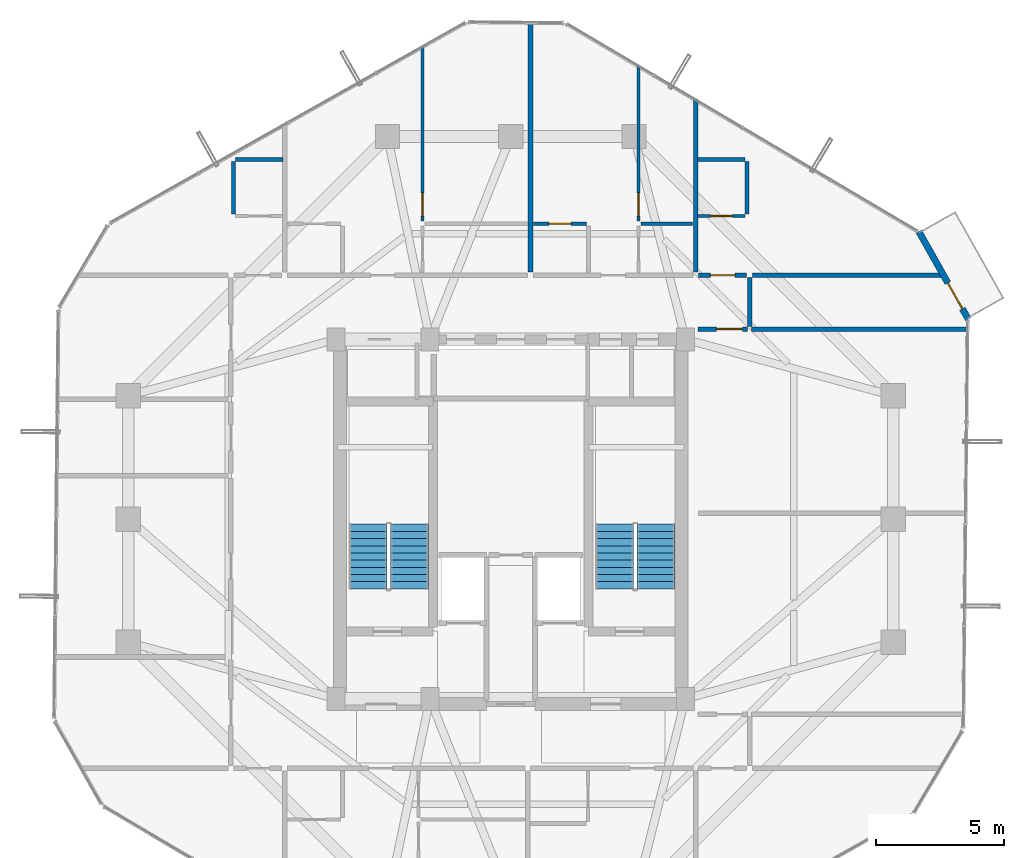
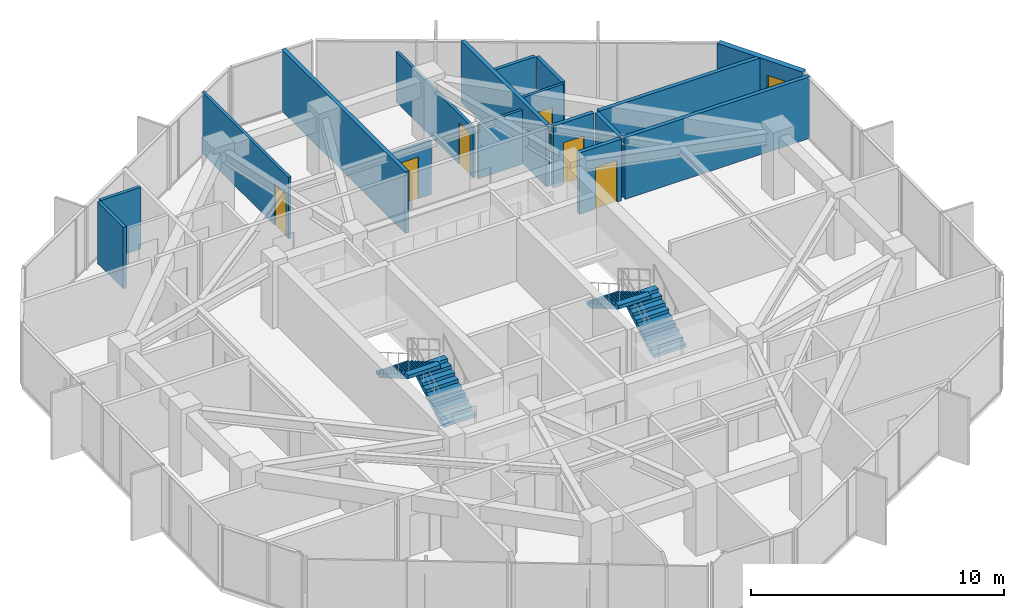
# One storey, part 28 of 30: 17 walls, 7 doors, 4 stair flights, 7 openings, 2 elements without a shape of their own.
"""IFC4 building model written with IfcOpenShell, lengths in metres."""

from ifc_helpers import new_model, si_unit, direction, frame, frame_2d, origin, place, context, subcontext, project, spatial, polyline, rectangle, outline, extrude, source, transform, mapped, material, layer, layer_set, type_object, element, fill, aggregate, save


model = new_model("IFC4")

# Units and contexts
model_context = context("Model", 3, precision=1e-05, world=origin(), true_north=direction((0.0, 1.0)))
body_context = subcontext(model_context, "Body", "Model", "MODEL_VIEW")
ifc_project = project(units=[si_unit("LENGTHUNIT", "METRE"), si_unit("AREAUNIT", "SQUARE_METRE"), si_unit("VOLUMEUNIT", "CUBIC_METRE"), si_unit("PLANEANGLEUNIT", "RADIAN"), si_unit("MASSUNIT", "GRAM", prefix="KILO")], contexts=[model_context])

# Site, building, storey
site_placement = place(None, origin())
site = spatial("IfcSite", under=ifc_project, at=site_placement, CompositionType="ELEMENT")
building_placement = place(site_placement, origin())
building = spatial("IfcBuilding", under=site, at=building_placement, Name="Veraguas Prism Commons", CompositionType="ELEMENT")
storey_placement = place(building_placement, frame((0.0, 0.0, 208.10009765625)))
storey = spatial("IfcBuildingStorey", under=building, at=storey_placement, Name="L59", CompositionType="ELEMENT", Elevation=208.10009765625)

# Walls
ifc_material_1 = material(Name="Autoclaved aerated masonry block 10 MPa", Category="masonry")
ifc_layer_1 = layer(ifc_material_1, 0.179931640625, Name="Corridor and Inter-Tenancy Partition 180", Category="masonry")
ifc_layer_set_1 = layer_set([ifc_layer_1], Name="Autoclaved aerated masonry block 10 MPa")
wall_type_1 = type_object("IfcWallType", Name="Corridor and Inter-Tenancy Partition 180", PredefinedType="PARTITIONING", material=ifc_layer_set_1)
wall_1_placement = place(storey_placement, frame((31.199951171875, 33.6201171875, 0.0), z_axis=(0.0, 0.0, 1.0), x_axis=(0.0, 1.0, 0.0)))
element("IfcWall", 1, at=wall_1_placement, inside=storey, type_object=wall_type_1, Name="WL-L59-PT014", PredefinedType="PARTITIONING", context=body_context, shape_type="SweptSolid", body=[
    extrude(rectangle(XDim=6.732177734375, YDim=0.179931640625, at=frame_2d((3.3662109375, 0.0))), origin(), (0.0, 0.0, 1.0), 2.969970703125),
])
wall_2_placement = place(storey_placement, frame((24.77001953125, 33.6201171875, 0.0), z_axis=(0.0, 0.0, 1.0), x_axis=(0.0, 1.0, 0.0)))
element("IfcWall", 2, at=wall_2_placement, inside=storey, type_object=wall_type_1, Name="WL-L59-PT021", PredefinedType="PARTITIONING", context=body_context, shape_type="SweptSolid", body=[
    extrude(rectangle(XDim=9.74609375, YDim=0.179931640625, at=frame_2d((4.873046875, 0.0))), origin(), (0.0, 0.0, 1.0), 2.969970703125),
])
wall_3_placement = place(storey_placement, frame((33.300048828125, 31.5, 0.0), z_axis=(0.0, 0.0, 1.0), x_axis=(0.0, 1.0, 0.0)))
element("IfcWall", 3, at=wall_3_placement, inside=storey, type_object=wall_type_1, Name="WL-L59-PT039", PredefinedType="PARTITIONING", context=body_context, shape_type="SweptSolid", body=[
    extrude(rectangle(XDim=1.89990234375, YDim=0.179931640625, at=frame_2d((0.949951171875, 0.0))), origin(), (0.0, 0.0, 1.0), 2.969970703125),
])

# Wall, opening, door
wall_4_placement = place(storey_placement, frame((31.300048828125, 31.39990234375, 0.0), z_axis=(0.0, 0.0, 1.0), x_axis=(1.0, 0.0, 0.0)))
wall_4 = element("IfcWall", 4, at=wall_4_placement, inside=storey, type_object=wall_type_1, Name="WL-L59-PT042", PredefinedType="PARTITIONING", context=body_context, shape_type="SweptSolid", body=[
    extrude(rectangle(XDim=1.919921875, YDim=0.179931640625, at=frame_2d((0.9599609375, 0.0))), origin(), (0.0, 0.0, 1.0), 2.969970703125),
])
opening_1_placement = place(wall_4_placement, frame((0.719970703125, 0.0, 0.0)))
opening_1 = element("IfcOpeningElement", 5, at=opening_1_placement, cuts=wall_4, Name="Opening DR-13", PredefinedType="OPENING", context=body_context, shape_type="SweptSolid", body=[
    extrude(rectangle(XDim=1.0, YDim=2.010009765625, at=frame_2d((0.5, 1.0048828125))), frame((0.0, 0.099853515625, 0.0), z_axis=(0.0, -1.0, 0.0), x_axis=(1.0, 0.0, 0.0)), (0.0, 0.0, 1.0), 0.199951171875),
])
ifc_material_2 = material(Name="Steel fire-rated door assembly", Category="steel")
door_type_1 = type_object("IfcDoorType", Name="Core Accessible WC and Clinic Fire Door 1000x2010", OperationType="NOTDEFINED", PredefinedType="DOOR", material=ifc_material_2)
shared_shape_1 = source(origin(), body_context, "Body", "SweptSolid", [
    extrude(rectangle(XDim=1.0, YDim=2.010009765625, at=frame_2d((0.5, 1.0048828125))), frame((0.0, 0.02490234375, 0.0), z_axis=(0.0, -1.0, 0.0), x_axis=(1.0, 0.0, 0.0)), (0.0, 0.0, 1.0), 0.050048828125),
])
door_1_placement = place(opening_1_placement, origin())
door_1 = element("IfcDoor", 6, at=door_1_placement, inside=storey, type_object=door_type_1, Name="Study Salon Door L59", OperationType="SINGLE_SWING_LEFT", OverallHeight=2.010009765625, OverallWidth=1.0, PredefinedType="DOOR", context=body_context, shape_type="MappedRepresentation", body=[
    mapped(shared_shape_1, transform((0.0, 0.0, 0.0), scale=1.0)),
])
fill(opening_1, door_1)

# Walls
wall_5_placement = place(storey_placement, frame((33.3798828125, 31.39990234375, 0.0), z_axis=(0.0, 0.0, 1.0), x_axis=(1.0, 0.0, 0.0)))
element("IfcWall", 7, at=wall_5_placement, inside=storey, type_object=wall_type_1, Name="WL-L59-PT043", PredefinedType="PARTITIONING", context=body_context, shape_type="SweptSolid", body=[
    extrude(rectangle(XDim=8.438720703125, YDim=0.179931640625, at=frame_2d((4.21923828125, 0.0))), origin(), (0.0, 0.0, 1.0), 2.969970703125),
])
wall_6_placement = place(storey_placement, frame((33.419921875, 33.5, 0.0), z_axis=(0.0, 0.0, 1.0), x_axis=(1.0, 0.0, 0.0)))
element("IfcWall", 8, at=wall_6_placement, inside=storey, type_object=wall_type_1, Name="WL-L59-PT052", PredefinedType="PARTITIONING", context=body_context, shape_type="SweptSolid", body=[
    extrude(rectangle(XDim=7.4638671875, YDim=0.179931640625, at=frame_2d((3.73193359375, 0.0))), origin(), (0.0, 0.0, 1.0), 2.969970703125),
])

# Wall, opening, door
wall_7_placement = place(storey_placement, frame((31.320068359375, 33.5, 0.0), z_axis=(0.0, 0.0, 1.0), x_axis=(1.0, 0.0, 0.0)))
wall_7 = element("IfcWall", 9, at=wall_7_placement, inside=storey, type_object=wall_type_1, Name="WL-L59-PT053", PredefinedType="PARTITIONING", context=body_context, shape_type="SweptSolid", body=[
    extrude(rectangle(XDim=1.85986328125, YDim=0.179931640625, at=frame_2d((0.929931640625, 0.0))), origin(), (0.0, 0.0, 1.0), 2.969970703125),
])
opening_2_placement = place(wall_7_placement, frame((0.455078125, 0.0, 0.0)))
opening_2 = element("IfcOpeningElement", 10, at=opening_2_placement, cuts=wall_7, Name="Opening DR-01", PredefinedType="OPENING", context=body_context, shape_type="SweptSolid", body=[
    extrude(rectangle(XDim=0.949951171875, YDim=2.02001953125, at=frame_2d((0.47509765625, 1.010009765625))), frame((0.0, 0.099853515625, 0.0), z_axis=(0.0, -1.0, 0.0), x_axis=(1.0, 0.0, 0.0)), (0.0, 0.0, 1.0), 0.199951171875),
])
ifc_material_3 = material(Name="Anodised aluminium EN AW-6063 T6", Category="aluminium")
door_type_2 = type_object("IfcDoorType", Name="Apartment Entrance Fire Door 950x2020", OperationType="NOTDEFINED", PredefinedType="DOOR", material=ifc_material_3)
shared_shape_2 = source(origin(), body_context, "Body", "SweptSolid", [
    extrude(rectangle(XDim=0.949951171875, YDim=2.02001953125, at=frame_2d((0.47509765625, 1.010009765625))), frame((0.0, 0.02490234375, 0.0), z_axis=(0.0, -1.0, 0.0), x_axis=(1.0, 0.0, 0.0)), (0.0, 0.0, 1.0), 0.050048828125),
])
door_2_placement = place(opening_2_placement, origin())
door_2 = element("IfcDoor", 11, at=door_2_placement, inside=storey, type_object=door_type_2, Name="Studio 59F Entrance Door", OperationType="SINGLE_SWING_LEFT", OverallHeight=2.02001953125, OverallWidth=0.949951171875, PredefinedType="DOOR", context=body_context, shape_type="MappedRepresentation", body=[
    mapped(shared_shape_2, transform((0.0, 0.0, 0.0), scale=1.0)),
])
fill(opening_2, door_2)

ifc_material_4 = material(Name="Precast concrete C40/50", Category="concrete")
ifc_layer_2 = layer(ifc_material_4, 0.25, Name="External Loggia and Portal Wall 250", Category="concrete")
ifc_layer_set_2 = layer_set([ifc_layer_2], Name="Precast concrete C40/50")
wall_type_2 = type_object("IfcWallType", Name="External Loggia and Portal Wall 250", PredefinedType="SOLIDWALL", material=ifc_layer_set_2)
wall_8_placement = place(storey_placement, frame((41.812744140625, 31.79052734375, 0.0), z_axis=(0.0, 0.0, 1.0), x_axis=(-0.490924417237, 0.871202167445, 0.0)))
wall_8 = element("IfcWall", 12, at=wall_8_placement, inside=storey, type_object=wall_type_2, Name="Corner Loggia Wall L59-C1", PredefinedType="SOLIDWALL", context=body_context, shape_type="SweptSolid", body=[
    extrude(rectangle(XDim=3.914306640625, YDim=0.25, at=frame_2d((1.95703125, 0.0))), origin(), (0.0, 0.0, 1.0), 2.969970703125),
])
opening_3_placement = place(wall_8_placement, frame((0.4599609375, 0.0, 0.0)))
opening_3 = element("IfcOpeningElement", 13, at=opening_3_placement, cuts=wall_8, Name="Opening DR-10", PredefinedType="OPENING", context=body_context, shape_type="SweptSolid", body=[
    extrude(rectangle(XDim=1.14990234375, YDim=2.25, at=frame_2d((0.574951171875, 1.125))), frame((0.0, 0.135009765625, 0.0), z_axis=(0.0, -1.0, 0.0), x_axis=(1.0, 0.0, 0.0)), (0.0, 0.0, 1.0), 0.27001953125),
])
door_type_3 = type_object("IfcDoorType", Name="Glazed Loggia and Terrace Door 1150x2250", OperationType="NOTDEFINED", PredefinedType="DOOR", material=ifc_material_3)
shared_shape_3 = source(origin(), body_context, "Body", "SweptSolid", [
    extrude(rectangle(XDim=1.14990234375, YDim=2.25, at=frame_2d((0.574951171875, 1.125))), frame((0.0, 0.02490234375, 0.0), z_axis=(0.0, -1.0, 0.0), x_axis=(1.0, 0.0, 0.0)), (0.0, 0.0, 1.0), 0.050048828125),
])
door_3_placement = place(opening_3_placement, frame((1.14990234375, 0.0, 0.0), z_axis=(0.0, 0.0, 1.0), x_axis=(-1.0, 0.0, 0.0)))
door_3 = element("IfcDoor", 14, at=door_3_placement, inside=storey, type_object=door_type_3, Name="Recessed Loggia Door L59-C1", OperationType="SINGLE_SWING_LEFT", OverallHeight=2.25, OverallWidth=1.14990234375, PredefinedType="DOOR", context=body_context, shape_type="MappedRepresentation", body=[
    mapped(shared_shape_3, transform((0.0, 0.0, 0.0), scale=1.0)),
])
fill(opening_3, door_3)

ifc_material_5 = material(Name="Lightweight acoustic gypsum board")
ifc_layer_3 = layer(ifc_material_5, 0.125, Name="Internal Apartment Room Partition 125")
ifc_layer_set_3 = layer_set([ifc_layer_3], Name="Lightweight acoustic gypsum board")
wall_type_3 = type_object("IfcWallType", Name="Internal Apartment Room Partition 125", PredefinedType="PARTITIONING", material=ifc_layer_set_3)
wall_9_placement = place(storey_placement, frame((20.55908203125, 35.60009765625, 0.0), z_axis=(0.0, 0.0, 1.0), x_axis=(0.0, 1.0, 0.0)))
wall_9 = element("IfcWall", 15, at=wall_9_placement, inside=storey, type_object=wall_type_3, Name="WL-L59-PT020", PredefinedType="PARTITIONING", context=body_context, shape_type="SweptSolid", body=[
    extrude(rectangle(XDim=6.823486328125, YDim=0.125, at=frame_2d((3.41162109375, 0.0))), origin(), (0.0, 0.0, 1.0), 2.969970703125),
])
opening_4_placement = place(wall_9_placement, frame((0.199951171875, 0.0, 0.0)))
opening_4 = element("IfcOpeningElement", 16, at=opening_4_placement, cuts=wall_9, Name="Opening DR-02", PredefinedType="OPENING", context=body_context, shape_type="SweptSolid", body=[
    extrude(rectangle(XDim=0.89990234375, YDim=2.010009765625, at=frame_2d((0.449951171875, 1.0048828125))), frame((0.0, 0.072509765625, 0.0), z_axis=(0.0, -1.0, 0.0), x_axis=(1.0, 0.0, 0.0)), (0.0, 0.0, 1.0), 0.14501953125),
])
ifc_material_6 = material(Name="Timber solid core hardwood", Category="wood")
door_type_4 = type_object("IfcDoorType", Name="Internal Habitable Room Door 900x2010", OperationType="NOTDEFINED", PredefinedType="DOOR", material=ifc_material_6)
shared_shape_4 = source(origin(), body_context, "Body", "SweptSolid", [
    extrude(rectangle(XDim=0.89990234375, YDim=2.010009765625, at=frame_2d((0.449951171875, 1.0048828125))), frame((0.0, 0.02490234375, 0.0), z_axis=(0.0, -1.0, 0.0), x_axis=(1.0, 0.0, 0.0)), (0.0, 0.0, 1.0), 0.050048828125),
])
door_4_placement = place(opening_4_placement, origin())
door_4 = element("IfcDoor", 17, at=door_4_placement, inside=storey, type_object=door_type_4, Name="Flat 59C Bedroom 1 Door", OperationType="SINGLE_SWING_LEFT", OverallHeight=2.010009765625, OverallWidth=0.89990234375, PredefinedType="DOOR", context=body_context, shape_type="MappedRepresentation", body=[
    mapped(shared_shape_4, transform((0.0, 0.0, 0.0), scale=1.0)),
])
fill(opening_4, door_4)

wall_10_placement = place(storey_placement, frame((24.889892578125, 35.5, 0.0), z_axis=(0.0, 0.0, 1.0), x_axis=(1.0, 0.0, 0.0)))
wall_10 = element("IfcWall", 18, at=wall_10_placement, inside=storey, type_object=wall_type_3, Name="WL-L59-PT024", PredefinedType="PARTITIONING", context=body_context, shape_type="SweptSolid", body=[
    extrude(rectangle(XDim=2.050048828125, YDim=0.125, at=frame_2d((1.02490234375, 0.0))), origin(), (0.0, 0.0, 1.0), 2.616943359375),
])
opening_5_placement = place(wall_10_placement, frame((0.594970703125, 0.0, 0.0)))
opening_5 = element("IfcOpeningElement", 19, at=opening_5_placement, cuts=wall_10, Name="Opening DR-03", PredefinedType="OPENING", context=body_context, shape_type="SweptSolid", body=[
    extrude(rectangle(XDim=0.860107421875, YDim=2.010009765625, at=frame_2d((0.43017578125, 1.0048828125))), frame((0.0, 0.072509765625, 0.0), z_axis=(0.0, -1.0, 0.0), x_axis=(1.0, 0.0, 0.0)), (0.0, 0.0, 1.0), 0.14501953125),
])
ifc_material_7 = material(Name="Timber moisture-resistant leaf", Category="wood")
door_type_5 = type_object("IfcDoorType", Name="Internal Bathroom Door 860x2010", OperationType="NOTDEFINED", PredefinedType="DOOR", material=ifc_material_7)
shared_shape_5 = source(origin(), body_context, "Body", "SweptSolid", [
    extrude(rectangle(XDim=0.860107421875, YDim=2.010009765625, at=frame_2d((0.43017578125, 1.0048828125))), frame((0.0, 0.02490234375, 0.0), z_axis=(0.0, -1.0, 0.0), x_axis=(1.0, 0.0, 0.0)), (0.0, 0.0, 1.0), 0.050048828125),
])
door_5_placement = place(opening_5_placement, origin())
door_5 = element("IfcDoor", 20, at=door_5_placement, inside=storey, type_object=door_type_5, Name="Flat 59D Bathroom Door", OperationType="SINGLE_SWING_LEFT", OverallHeight=2.010009765625, OverallWidth=0.860107421875, PredefinedType="DOOR", context=body_context, shape_type="MappedRepresentation", body=[
    mapped(shared_shape_5, transform((0.0, 0.0, 0.0), scale=1.0)),
])
fill(opening_5, door_5)

# Wall
wall_11_placement = place(storey_placement, frame((29.070068359375, 35.5, 0.0), z_axis=(0.0, 0.0, 1.0), x_axis=(1.0, 0.0, 0.0)))
element("IfcWall", 21, at=wall_11_placement, inside=storey, type_object=wall_type_3, Name="WL-L59-PT026", PredefinedType="PARTITIONING", context=body_context, shape_type="SweptSolid", body=[
    extrude(rectangle(XDim=2.010009765625, YDim=0.125, at=frame_2d((1.0048828125, 0.0))), origin(), (0.0, 0.0, 1.0), 2.616943359375),
])

# Wall, opening, door
wall_12_placement = place(storey_placement, frame((28.969970703125, 35.60009765625, 0.0), z_axis=(0.0, 0.0, 1.0), x_axis=(0.0, 1.0, 0.0)))
wall_12 = element("IfcWall", 22, at=wall_12_placement, inside=storey, type_object=wall_type_3, Name="WL-L59-PT027", PredefinedType="PARTITIONING", context=body_context, shape_type="SweptSolid", body=[
    extrude(rectangle(XDim=6.071044921875, YDim=0.125, at=frame_2d((3.03564453125, 0.0))), origin(), (0.0, 0.0, 1.0), 2.423828125),
])
opening_6_placement = place(wall_12_placement, frame((0.199951171875, 0.0, 0.0)))
opening_6 = element("IfcOpeningElement", 23, at=opening_6_placement, cuts=wall_12, Name="Opening DR-02", PredefinedType="OPENING", context=body_context, shape_type="SweptSolid", body=[
    extrude(rectangle(XDim=0.89990234375, YDim=2.010009765625, at=frame_2d((0.449951171875, 1.0048828125))), frame((0.0, 0.072509765625, 0.0), z_axis=(0.0, -1.0, 0.0), x_axis=(1.0, 0.0, 0.0)), (0.0, 0.0, 1.0), 0.14501953125),
])
door_6_placement = place(opening_6_placement, origin())
door_6 = element("IfcDoor", 24, at=door_6_placement, inside=storey, type_object=door_type_4, Name="Flat 59D Bedroom 1 Door", OperationType="SINGLE_SWING_LEFT", OverallHeight=2.010009765625, OverallWidth=0.89990234375, PredefinedType="DOOR", context=body_context, shape_type="MappedRepresentation", body=[
    mapped(shared_shape_4, transform((0.0, 0.0, 0.0), scale=1.0)),
])
fill(opening_6, door_6)

wall_13_placement = place(storey_placement, frame((31.280029296875, 35.800048828125, 0.0), z_axis=(0.0, 0.0, 1.0), x_axis=(1.0, 0.0, 0.0)))
wall_13 = element("IfcWall", 25, at=wall_13_placement, inside=storey, type_object=wall_type_3, Name="WL-L59-PT054", PredefinedType="PARTITIONING", context=body_context, shape_type="SweptSolid", body=[
    extrude(rectangle(XDim=1.840087890625, YDim=0.125, at=frame_2d((0.919921875, 0.0))), origin(), (0.0, 0.0, 1.0), 2.969970703125),
])
opening_7_placement = place(wall_13_placement, frame((0.489990234375, 0.0, 0.0)))
opening_7 = element("IfcOpeningElement", 26, at=opening_7_placement, cuts=wall_13, Name="Opening DR-03", PredefinedType="OPENING", context=body_context, shape_type="SweptSolid", body=[
    extrude(rectangle(XDim=0.860107421875, YDim=2.010009765625, at=frame_2d((0.43017578125, 1.0048828125))), frame((0.0, 0.072509765625, 0.0), z_axis=(0.0, -1.0, 0.0), x_axis=(1.0, 0.0, 0.0)), (0.0, 0.0, 1.0), 0.14501953125),
])
door_7_placement = place(opening_7_placement, origin())
door_7 = element("IfcDoor", 27, at=door_7_placement, inside=storey, type_object=door_type_5, Name="Studio 59F Bathroom Door", OperationType="SINGLE_SWING_RIGHT", OverallHeight=2.010009765625, OverallWidth=0.860107421875, PredefinedType="DOOR", context=body_context, shape_type="MappedRepresentation", body=[
    mapped(shared_shape_5, transform((0.0, 0.0, 0.0), scale=1.0)),
])
fill(opening_7, door_7)

# Walls
ifc_layer_4 = layer(ifc_material_5, 0.14990234375, Name="Wet Room and Clinic Acoustic Partition 150")
ifc_layer_set_4 = layer_set([ifc_layer_4], Name="Lightweight acoustic gypsum board")
wall_type_4 = type_object("IfcWallType", Name="Wet Room and Clinic Acoustic Partition 150", PredefinedType="PARTITIONING", material=ifc_layer_set_4)
wall_14_placement = place(storey_placement, frame((13.280029296875, 38.0, 0.0), z_axis=(0.0, 0.0, 1.0), x_axis=(1.0, 0.0, 0.0)))
element("IfcWall", 28, at=wall_14_placement, inside=storey, type_object=wall_type_4, Name="WL-L59-PT050", PredefinedType="PARTITIONING", context=body_context, shape_type="SweptSolid", body=[
    extrude(rectangle(XDim=1.840087890625, YDim=0.14990234375, at=frame_2d((0.919921875, 0.0))), origin(), (0.0, 0.0, 1.0), 2.969970703125),
])
wall_15_placement = place(storey_placement, frame((13.199951171875, 35.8798828125, 0.0), z_axis=(0.0, 0.0, 1.0), x_axis=(0.0, 1.0, 0.0)))
element("IfcWall", 29, at=wall_15_placement, inside=storey, type_object=wall_type_4, Name="WL-L59-PT051", PredefinedType="PARTITIONING", context=body_context, shape_type="SweptSolid", body=[
    extrude(rectangle(XDim=2.0400390625, YDim=0.14990234375, at=frame_2d((1.02001953125, 0.0))), origin(), (0.0, 0.0, 1.0), 2.969970703125),
])
wall_16_placement = place(storey_placement, frame((31.280029296875, 38.0, 0.0), z_axis=(0.0, 0.0, 1.0), x_axis=(1.0, 0.0, 0.0)))
element("IfcWall", 30, at=wall_16_placement, inside=storey, type_object=wall_type_4, Name="WL-L59-PT055", PredefinedType="PARTITIONING", context=body_context, shape_type="SweptSolid", body=[
    extrude(rectangle(XDim=1.840087890625, YDim=0.14990234375, at=frame_2d((0.919921875, 0.0))), origin(), (0.0, 0.0, 1.0), 2.969970703125),
])
wall_17_placement = place(storey_placement, frame((33.199951171875, 35.8798828125, 0.0), z_axis=(0.0, 0.0, 1.0), x_axis=(0.0, 1.0, 0.0)))
element("IfcWall", 31, at=wall_17_placement, inside=storey, type_object=wall_type_4, Name="WL-L59-PT056", PredefinedType="PARTITIONING", context=body_context, shape_type="SweptSolid", body=[
    extrude(rectangle(XDim=2.0400390625, YDim=0.14990234375, at=frame_2d((1.02001953125, 0.0))), origin(), (0.0, 0.0, 1.0), 2.969970703125),
])

# Stair, stair flights
ifc_material_8 = material(Name="Precast concrete C45/55", Category="concrete")
stair_type = type_object("IfcStairType", Name="Dogleg Core Stair 1480W 20R 05", PredefinedType="HALF_TURN_STAIR", material=ifc_material_8)
stair_1_placement = place(storey_placement, origin())
stair_1 = element("IfcStair", 32, at=stair_1_placement, inside=storey, type_object=stair_type, Name="Protected Exit Stair ST-01 L59", PredefinedType="HALF_TURN_STAIR")
stair_flight_type = type_object("IfcStairFlightType", Name="Precast Stair Flight 1480W 10R 05", PredefinedType="STRAIGHT", material=ifc_material_8)
stair_flight_1_placement = place(storey_placement, frame((20.06005859375, 21.280029296875, 0.0), z_axis=(0.0, 0.0, 1.0), x_axis=(0.0, 1.0, 0.0)))
stair_flight_1 = element("IfcStairFlight", 33, at=stair_flight_1_placement, type_object=stair_flight_type, Name="ST-05 Flight 1", NumberOfRisers=10, NumberOfTreads=9, PredefinedType="STRAIGHT", RiserHeight=0.1625, TreadLength=0.28, context=body_context, shape_type="SweptSolid", body=[
    extrude(outline(polyline([(0.0, 0.0), (0.0, 0.16259765625), (0.280029296875, 0.16259765625), (0.280029296875, 0.324951171875), (0.56005859375, 0.324951171875), (0.56005859375, 0.487548828125), (0.840087890625, 0.487548828125), (0.840087890625, 0.64990234375), (1.1201171875, 0.64990234375), (1.1201171875, 0.8125), (1.39990234375, 0.8125), (1.39990234375, 0.97509765625), (1.679931640625, 0.97509765625), (1.679931640625, 1.137451171875), (1.9599609375, 1.137451171875), (1.9599609375, 1.300048828125), (2.239990234375, 1.300048828125), (2.239990234375, 1.46240234375), (2.52001953125, 1.46240234375), (2.52001953125, 1.625), (2.52001953125, 1.2890625), (0.298583984375, 0.0), (0.0, 0.0)])), frame((0.0, 0.739990234375, 0.0), z_axis=(0.0, -1.0, 0.0), x_axis=(1.0, 0.0, 0.0)), (0.0, 0.0, 1.0), 1.47998046875),
])
stair_flight_2_placement = place(storey_placement, frame((18.429931640625, 23.800048828125, 1.625), z_axis=(0.0, 0.0, 1.0), x_axis=(0.0, -1.0, 0.0)))
stair_flight_2 = element("IfcStairFlight", 34, at=stair_flight_2_placement, type_object=stair_flight_type, Name="ST-05 Flight 2", NumberOfRisers=10, NumberOfTreads=9, PredefinedType="STRAIGHT", RiserHeight=0.1625, TreadLength=0.28, context=body_context, shape_type="SweptSolid", body=[
    extrude(outline(polyline([(0.0, 0.0), (0.0, 0.16259765625), (0.280029296875, 0.16259765625), (0.280029296875, 0.324951171875), (0.56005859375, 0.324951171875), (0.56005859375, 0.487548828125), (0.840087890625, 0.487548828125), (0.840087890625, 0.64990234375), (1.1201171875, 0.64990234375), (1.1201171875, 0.8125), (1.39990234375, 0.8125), (1.39990234375, 0.97509765625), (1.679931640625, 0.97509765625), (1.679931640625, 1.137451171875), (1.9599609375, 1.137451171875), (1.9599609375, 1.300048828125), (2.239990234375, 1.300048828125), (2.239990234375, 1.46240234375), (2.52001953125, 1.46240234375), (2.52001953125, 1.625), (2.52001953125, 1.2890625), (0.298583984375, 0.0), (0.0, 0.0)])), frame((0.0, 0.739990234375, 0.0), z_axis=(0.0, -1.0, 0.0), x_axis=(1.0, 0.0, 0.0)), (0.0, 0.0, 1.0), 1.47998046875),
])
aggregate(stair_1, [stair_flight_1, stair_flight_2])

stair_2_placement = place(storey_placement, origin())
stair_2 = element("IfcStair", 35, at=stair_2_placement, inside=storey, type_object=stair_type, Name="Protected Exit Stair ST-02 L59", PredefinedType="HALF_TURN_STAIR")
stair_flight_3_placement = place(storey_placement, frame((29.659912109375, 21.280029296875, 0.0), z_axis=(0.0, 0.0, 1.0), x_axis=(0.0, 1.0, 0.0)))
stair_flight_3 = element("IfcStairFlight", 36, at=stair_flight_3_placement, type_object=stair_flight_type, Name="ST-05 Flight 1", NumberOfRisers=10, NumberOfTreads=9, PredefinedType="STRAIGHT", RiserHeight=0.1625, TreadLength=0.28, context=body_context, shape_type="SweptSolid", body=[
    extrude(outline(polyline([(0.0, 0.0), (0.0, 0.16259765625), (0.280029296875, 0.16259765625), (0.280029296875, 0.324951171875), (0.56005859375, 0.324951171875), (0.56005859375, 0.487548828125), (0.840087890625, 0.487548828125), (0.840087890625, 0.64990234375), (1.1201171875, 0.64990234375), (1.1201171875, 0.8125), (1.39990234375, 0.8125), (1.39990234375, 0.97509765625), (1.679931640625, 0.97509765625), (1.679931640625, 1.137451171875), (1.9599609375, 1.137451171875), (1.9599609375, 1.300048828125), (2.239990234375, 1.300048828125), (2.239990234375, 1.46240234375), (2.52001953125, 1.46240234375), (2.52001953125, 1.625), (2.52001953125, 1.2890625), (0.298583984375, 0.0), (0.0, 0.0)])), frame((0.0, 0.739990234375, 0.0), z_axis=(0.0, -1.0, 0.0), x_axis=(1.0, 0.0, 0.0)), (0.0, 0.0, 1.0), 1.47998046875),
])
stair_flight_4_placement = place(storey_placement, frame((28.030029296875, 23.800048828125, 1.625), z_axis=(0.0, 0.0, 1.0), x_axis=(0.0, -1.0, 0.0)))
stair_flight_4 = element("IfcStairFlight", 37, at=stair_flight_4_placement, type_object=stair_flight_type, Name="ST-05 Flight 2", NumberOfRisers=10, NumberOfTreads=9, PredefinedType="STRAIGHT", RiserHeight=0.1625, TreadLength=0.28, context=body_context, shape_type="SweptSolid", body=[
    extrude(outline(polyline([(0.0, 0.0), (0.0, 0.16259765625), (0.280029296875, 0.16259765625), (0.280029296875, 0.324951171875), (0.56005859375, 0.324951171875), (0.56005859375, 0.487548828125), (0.840087890625, 0.487548828125), (0.840087890625, 0.64990234375), (1.1201171875, 0.64990234375), (1.1201171875, 0.8125), (1.39990234375, 0.8125), (1.39990234375, 0.97509765625), (1.679931640625, 0.97509765625), (1.679931640625, 1.137451171875), (1.9599609375, 1.137451171875), (1.9599609375, 1.300048828125), (2.239990234375, 1.300048828125), (2.239990234375, 1.46240234375), (2.52001953125, 1.46240234375), (2.52001953125, 1.625), (2.52001953125, 1.2890625), (0.298583984375, 0.0), (0.0, 0.0)])), frame((0.0, 0.739990234375, 0.0), z_axis=(0.0, -1.0, 0.0), x_axis=(1.0, 0.0, 0.0)), (0.0, 0.0, 1.0), 1.47998046875),
])
aggregate(stair_2, [stair_flight_3, stair_flight_4])

save(model, "model.ifc")
